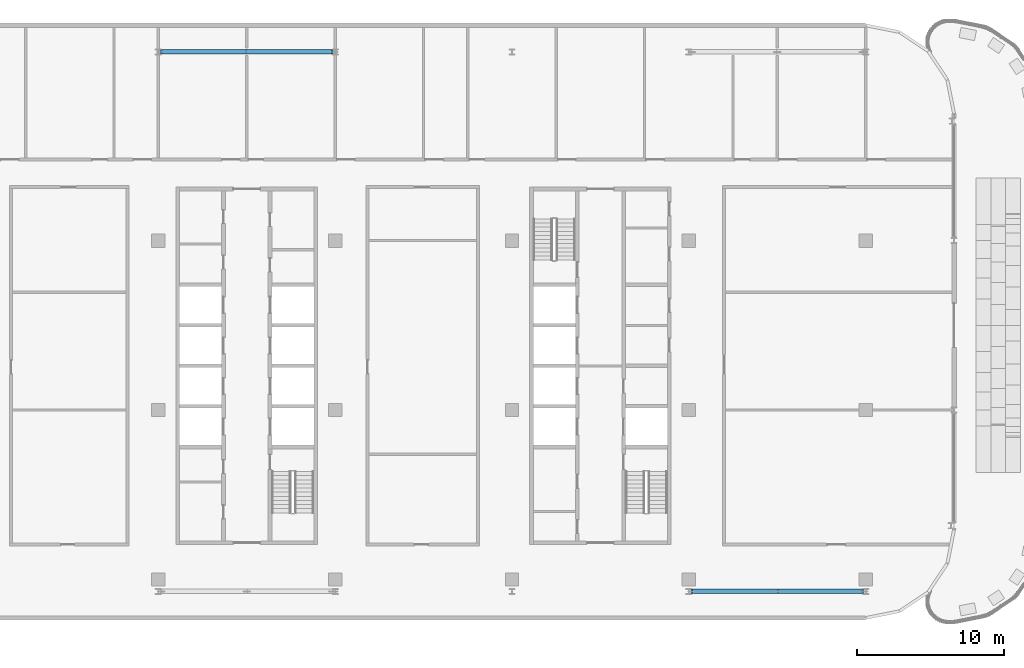
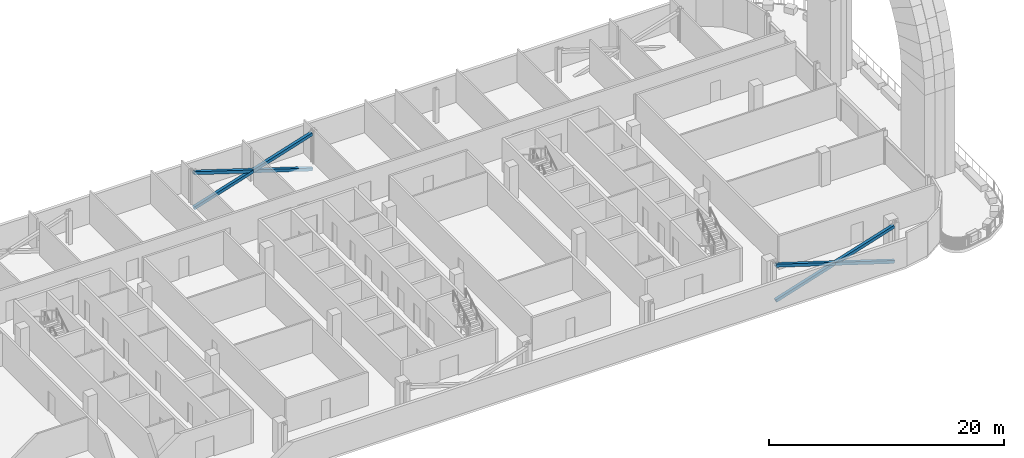
# One storey, part 8 of 30: 6 members.
"""IFC4 building model written with IfcOpenShell, lengths in metres."""

from ifc_helpers import new_model, si_unit, direction, frame, origin, origin_2d, place, context, subcontext, project, spatial, hollow_rectangle, extrude, material, material_profile, profile_set, type_object, element, save


model = new_model("IFC4")

# Units and contexts
model_context = context("Model", 3, precision=1e-05, world=origin(), true_north=direction((0.0, 1.0)))
body_context = subcontext(model_context, "Body", "Model", "MODEL_VIEW")
ifc_project = project(units=[si_unit("LENGTHUNIT", "METRE"), si_unit("AREAUNIT", "SQUARE_METRE"), si_unit("VOLUMEUNIT", "CUBIC_METRE"), si_unit("PLANEANGLEUNIT", "RADIAN"), si_unit("MASSUNIT", "GRAM", prefix="KILO")], contexts=[model_context])

# Site, building, storey
site_placement = place(None, origin())
site = spatial("IfcSite", under=ifc_project, at=site_placement, CompositionType="ELEMENT")
building_placement = place(site_placement, origin())
building = spatial("IfcBuilding", under=site, at=building_placement, Name="Mahtab Terrace Research Tower", CompositionType="ELEMENT")
storey_placement = place(building_placement, frame((0.0, 0.0, 263.300048828125)))
storey = spatial("IfcBuildingStorey", under=building, at=storey_placement, Name="L64", CompositionType="ELEMENT", Elevation=263.300048828125)

# Members
ifc_material = material(Name="Steel ASTM A500 Gr C", Category="steel")
ifc_material_profile = material_profile(ifc_material, hollow_rectangle(XDim=0.3046875, YDim=0.3046875, WallThickness=0.015869140625, at=origin_2d()), Name="HSS12X12X5/8")
ifc_profile_set = profile_set([ifc_material_profile], Name="Steel ASTM A500 Gr C")
member_type = type_object("IfcMemberType", Name="HSS 12x12x5/8 brace XB121258", PredefinedType="BRACE", material=ifc_profile_set)
member_1_placement = place(storey_placement, frame((5.80322265625, 24.306884765625, -0.581298828125), z_axis=(-0.953344149173, 0.0, 0.301885629399), x_axis=(0.0, -1.0, 0.0)))
element("IfcMember", 1, at=member_1_placement, inside=storey, type_object=member_type, Name="Exoskeleton brace L64 05 a", PredefinedType="BRACE", context=body_context, shape_type="SweptSolid", body=[
    extrude(hollow_rectangle(XDim=0.3046875, YDim=0.3046875, WallThickness=0.015869140625, at=origin_2d()), origin(), (0.0, 0.0, 1.0), 12.174560546875),
])
for number, where, z_axis, x_axis, name in (
    (2, (-5.80322265625, 24.306884765625, -0.581298828125), (0.953344149173, 0.0, 0.301885629399), (0.0, 1.0, 0.0), "Exoskeleton brace L64 05 b1"),
    (3, (0.0, 24.306884765625, 1.25634765625), (0.953344149173, 0.0, 0.301885629399), (0.0, 1.0, 0.0), "Exoskeleton brace L64 05 b2"),
):
    element("IfcMember", number, at=place(storey_placement, frame(where, z_axis=z_axis, x_axis=x_axis)), inside=storey, type_object=member_type, Name=name, PredefinedType="BRACE", context=body_context, shape_type="SweptSolid", body=[
        extrude(hollow_rectangle(XDim=0.3046875, YDim=0.3046875, WallThickness=0.015869140625, at=origin_2d()), origin(), (0.0, 0.0, 1.0), 6.087158203125),
    ])
member_2_placement = place(storey_placement, frame((30.19677734375, -12.306884765625, -0.581298828125), z_axis=(0.953344149173, 0.0, 0.301885629399), x_axis=(0.0, 1.0, 0.0)))
element("IfcMember", 4, at=member_2_placement, inside=storey, type_object=member_type, Name="Exoskeleton brace L64 20 a", PredefinedType="BRACE", context=body_context, shape_type="SweptSolid", body=[
    extrude(hollow_rectangle(XDim=0.3046875, YDim=0.3046875, WallThickness=0.015869140625, at=origin_2d()), origin(), (0.0, 0.0, 1.0), 12.174560546875),
])
for number, where, z_axis, x_axis, name in (
    (5, (41.80322265625, -12.306884765625, -0.581298828125), (-0.953344149173, 0.0, 0.301885629399), (0.0, -1.0, 0.0), "Exoskeleton brace L64 20 b1"),
    (6, (36.0, -12.306884765625, 1.25634765625), (-0.953344149173, 0.0, 0.301885629399), (0.0, -1.0, 0.0), "Exoskeleton brace L64 20 b2"),
):
    element("IfcMember", number, at=place(storey_placement, frame(where, z_axis=z_axis, x_axis=x_axis)), inside=storey, type_object=member_type, Name=name, PredefinedType="BRACE", context=body_context, shape_type="SweptSolid", body=[
        extrude(hollow_rectangle(XDim=0.3046875, YDim=0.3046875, WallThickness=0.015869140625, at=origin_2d()), origin(), (0.0, 0.0, 1.0), 6.087158203125),
    ])

save(model, "model.ifc")
